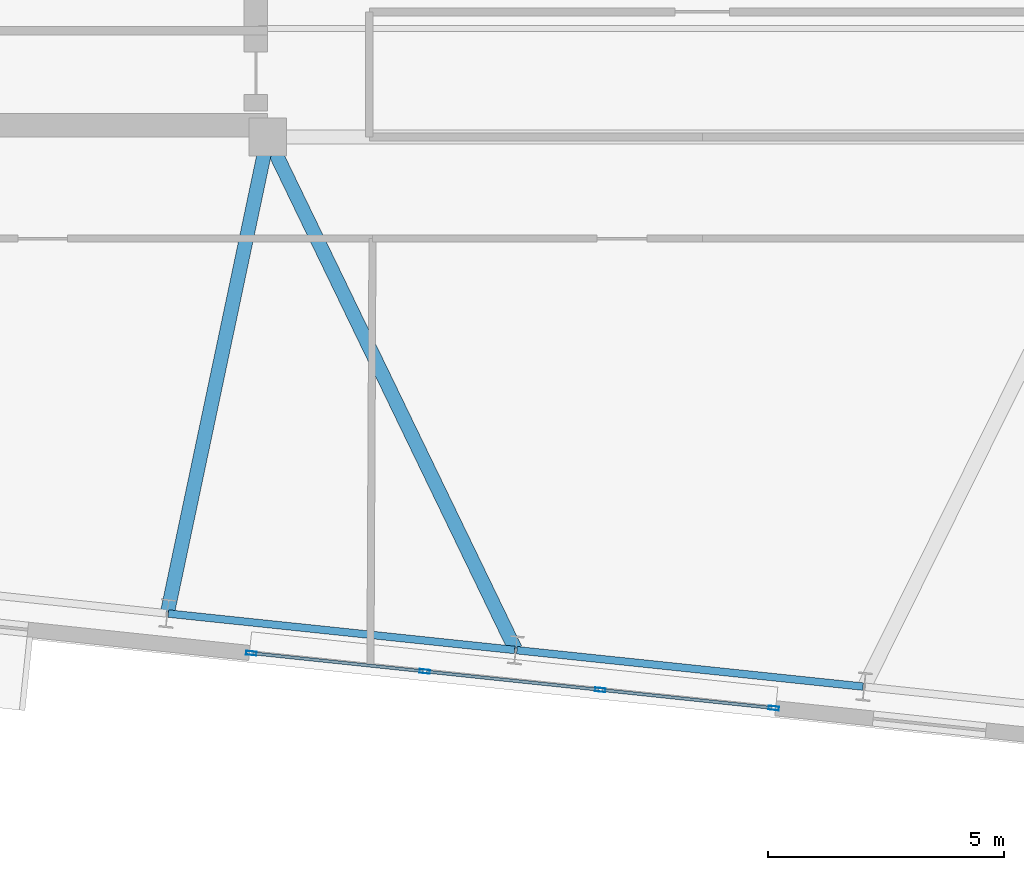
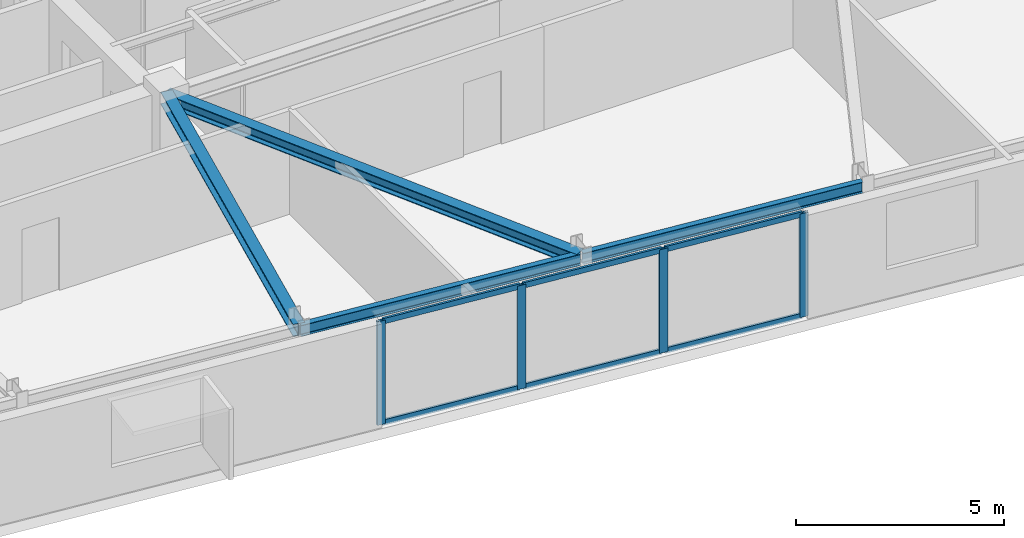
# One storey, part 5 of 13: 10 members, 4 beams, 1 element without a shape of its own.
"""IFC4 building model written with IfcOpenShell, lengths in metres."""

from ifc_helpers import new_model, si_unit, direction, frame, origin, origin_2d, place, context, subcontext, project, spatial, hollow_rectangle, i_section, extrude, material, layer, layer_set, material_profile, profile_set, type_object, element, aggregate, save


model = new_model("IFC4")

# Units and contexts
model_context = context("Model", 3, precision=1e-05, world=origin(), true_north=direction((0.0, 1.0)))
body_context = subcontext(model_context, "Body", "Model", "MODEL_VIEW")
ifc_project = project(units=[si_unit("LENGTHUNIT", "METRE"), si_unit("AREAUNIT", "SQUARE_METRE"), si_unit("VOLUMEUNIT", "CUBIC_METRE"), si_unit("PLANEANGLEUNIT", "RADIAN"), si_unit("MASSUNIT", "GRAM", prefix="KILO")], contexts=[model_context])

# Site, building, storey
site_placement = place(None, origin())
site = spatial("IfcSite", under=ifc_project, at=site_placement, CompositionType="ELEMENT")
building_placement = place(site_placement, origin())
building = spatial("IfcBuilding", under=site, at=building_placement, Name="Qobustan Lattice House", CompositionType="ELEMENT")
storey_placement = place(building_placement, frame((0.0, 0.0, 199.75)))
storey = spatial("IfcBuildingStorey", under=building, at=storey_placement, Name="L56", CompositionType="ELEMENT", Elevation=199.75)

# Beams
ifc_material_1 = material(Name="Steel S355", Category="steel")
ifc_material_profile_1 = material_profile(ifc_material_1, i_section(OverallWidth=0.300048828125, OverallDepth=0.360107421875, WebThickness=0.012451171875, FlangeThickness=0.0224609375, FilletRadius=0.027099609375, at=origin_2d()), Name="HEB360")
ifc_profile_set_1 = profile_set([ifc_material_profile_1], Name="Steel S355")
beam_type_1 = type_object("IfcBeamType", Name="BM-FLG-HEB360", PredefinedType="USERDEFINED", material=ifc_profile_set_1)
beam_1_placement = place(storey_placement, frame((-11.32177734375, -15.658447265625, 2.860107421875), z_axis=(0.206411213198, 0.978465334627, 0.0), x_axis=(-0.978465334627, 0.206411213198, 0.0)))
element("IfcBeam", 1, at=beam_1_placement, inside=storey, type_object=beam_type_1, Name="L56 primary floor girder RAD-S3", ObjectType="GIRDER", PredefinedType="USERDEFINED", context=body_context, shape_type="SweptSolid", body=[
    extrude(i_section(OverallWidth=0.300048828125, OverallDepth=0.360107421875, WebThickness=0.012451171875, FlangeThickness=0.0224609375, FilletRadius=0.027099609375, at=origin_2d()), origin(), (0.0, 0.0, 1.0), 10.2548828125),
])
beam_2_placement = place(storey_placement, frame((-3.9619140625, -16.435791015625, 2.860107421875), z_axis=(-0.435229353302, 0.900319615483, 0.0), x_axis=(-0.900319615483, -0.435229353302, 0.0)))
element("IfcBeam", 2, at=beam_2_placement, inside=storey, type_object=beam_type_1, Name="L56 primary floor girder RAD-S4", ObjectType="GIRDER", PredefinedType="USERDEFINED", context=body_context, shape_type="SweptSolid", body=[
    extrude(i_section(OverallWidth=0.300048828125, OverallDepth=0.360107421875, WebThickness=0.012451171875, FlangeThickness=0.0224609375, FilletRadius=0.027099609375, at=origin_2d()), origin(), (0.0, 0.0, 1.0), 12.010498046875),
])
ifc_material_2 = material(Name="Steel S355", Category="steel")
ifc_material_profile_2 = material_profile(ifc_material_2, i_section(OverallWidth=0.159912109375, OverallDepth=0.330078125, WebThickness=0.007568359375, FlangeThickness=0.011474609375, FilletRadius=0.01806640625, at=origin_2d()), Name="IPE330")
ifc_profile_set_2 = profile_set([ifc_material_profile_2], Name="Steel S355")
beam_type_2 = type_object("IfcBeamType", Name="BM-SPD-IPE330", PredefinedType="SPANDREL", material=ifc_profile_set_2)
beam_3_placement = place(storey_placement, frame((-11.302001953125, -15.685546875, 2.875), z_axis=(0.994521784746, -0.104529515765, 0.0), x_axis=(0.104529515765, 0.994521784746, 0.0)))
element("IfcBeam", 3, at=beam_3_placement, inside=storey, type_object=beam_type_2, Name="L56 perimeter spandrel S3-S4", PredefinedType="SPANDREL", context=body_context, shape_type="SweptSolid", body=[
    extrude(i_section(OverallWidth=0.159912109375, OverallDepth=0.330078125, WebThickness=0.007568359375, FlangeThickness=0.011474609375, FilletRadius=0.01806640625, at=origin_2d()), origin(), (0.0, 0.0, 1.0), 7.366455078125),
])
beam_4_placement = place(storey_placement, frame((-3.926025390625, -16.460693359375, 2.875), z_axis=(0.99451870122, -0.10455884909, 0.0), x_axis=(0.10455884909, 0.99451870122, 0.0)))
element("IfcBeam", 4, at=beam_4_placement, inside=storey, type_object=beam_type_2, Name="L56 perimeter spandrel S4-S5", PredefinedType="SPANDREL", context=body_context, shape_type="SweptSolid", body=[
    extrude(i_section(OverallWidth=0.159912109375, OverallDepth=0.330078125, WebThickness=0.007568359375, FlangeThickness=0.011474609375, FilletRadius=0.01806640625, at=origin_2d()), origin(), (0.0, 0.0, 1.0), 7.36669921875),
])

# Curtain wall, members
ifc_material_3 = material(Name="Anodised aluminium and low-E glazing", Category="aluminium")
ifc_layer = layer(ifc_material_3, 0.219970703125)
ifc_layer_set = layer_set([ifc_layer], Name="Anodised aluminium and low-E glazing")
curtain_wall_type = type_object("IfcCurtainWallType", Name="CW-IWN-01", PredefinedType="USERDEFINED", material=ifc_layer_set)
curtain_wall_placement = place(storey_placement, origin())
curtain_wall = element("IfcCurtainWall", 5, at=curtain_wall_placement, inside=storey, type_object=curtain_wall_type, Name="L56 IWAN-4 walnut-lined iwan curtain wall", ObjectType="CURTAIN WALL", PredefinedType="USERDEFINED")
ifc_material_4 = material(Name="Anodised aluminium EN AW-6063 T6", Category="aluminium")
ifc_material_profile_3 = material_profile(ifc_material_4, hollow_rectangle(XDim=0.080078125, YDim=0.219970703125, WallThickness=0.0048828125, at=origin_2d()), Name="CWM-220x80")
ifc_profile_set_3 = profile_set([ifc_material_profile_3], Name="Anodised aluminium EN AW-6063 T6")
member_type_1 = type_object("IfcMemberType", Name="CWM-MAIN-220", PredefinedType="MULLION", material=ifc_profile_set_3)
member_1_placement = place(storey_placement, frame((1.5107421875, -17.68603515625, 0.0), z_axis=(0.0, 0.0, 1.0), x_axis=(-0.104536054872, -0.994521097429, 0.0)))
member_1 = element("IfcMember", 6, at=member_1_placement, type_object=member_type_1, Name="CW-IW mullion 1", PredefinedType="MULLION", context=body_context, shape_type="SweptSolid", body=[
    extrude(hollow_rectangle(XDim=0.080078125, YDim=0.219970703125, WallThickness=0.0048828125, at=origin_2d()), origin(), (0.0, 0.0, 1.0), 3.0400390625),
])
member_2_placement = place(storey_placement, frame((-2.162353515625, -17.2998046875, 0.0), z_axis=(0.0, 0.0, 1.0), x_axis=(-0.104536054872, -0.994521097429, 0.0)))
member_2 = element("IfcMember", 7, at=member_2_placement, type_object=member_type_1, Name="CW-IW mullion 2", PredefinedType="MULLION", context=body_context, shape_type="SweptSolid", body=[
    extrude(hollow_rectangle(XDim=0.080078125, YDim=0.219970703125, WallThickness=0.0048828125, at=origin_2d()), origin(), (0.0, 0.0, 1.0), 3.0400390625),
])
member_3_placement = place(storey_placement, frame((-5.875244140625, -16.90966796875, 0.0), z_axis=(0.0, 0.0, 1.0), x_axis=(-0.104536054872, -0.994521097429, 0.0)))
member_3 = element("IfcMember", 8, at=member_3_placement, type_object=member_type_1, Name="CW-IW mullion 3", PredefinedType="MULLION", context=body_context, shape_type="SweptSolid", body=[
    extrude(hollow_rectangle(XDim=0.080078125, YDim=0.219970703125, WallThickness=0.0048828125, at=origin_2d()), origin(), (0.0, 0.0, 1.0), 3.0400390625),
])
member_4_placement = place(storey_placement, frame((-9.54833984375, -16.5234375, 0.0), z_axis=(0.0, 0.0, 1.0), x_axis=(-0.104536054872, -0.994521097429, 0.0)))
member_4 = element("IfcMember", 9, at=member_4_placement, type_object=member_type_1, Name="CW-IW mullion 4", PredefinedType="MULLION", context=body_context, shape_type="SweptSolid", body=[
    extrude(hollow_rectangle(XDim=0.080078125, YDim=0.219970703125, WallThickness=0.0048828125, at=origin_2d()), origin(), (0.0, 0.0, 1.0), 3.0400390625),
])
ifc_material_5 = material(Name="Anodised aluminium EN AW-6063 T6", Category="aluminium")
ifc_material_profile_4 = material_profile(ifc_material_5, hollow_rectangle(XDim=0.06494140625, YDim=0.159912109375, WallThickness=0.00390625, at=origin_2d()), Name="CWT-160x65")
ifc_profile_set_4 = profile_set([ifc_material_profile_4], Name="Anodised aluminium EN AW-6063 T6")
member_type_2 = type_object("IfcMemberType", Name="CWT-HOR-160", PredefinedType="USERDEFINED", material=ifc_profile_set_4)
member_5_placement = place(storey_placement, frame((1.470947265625, -17.681640625, 0.032470703125), z_axis=(-0.99452210074, 0.104526509263, 0.0), x_axis=(-0.104526509263, -0.99452210074, 0.0)))
member_5 = element("IfcMember", 10, at=member_5_placement, type_object=member_type_2, Name="CW-IW transom 1.1", ObjectType="TRANSOM", PredefinedType="USERDEFINED", context=body_context, shape_type="SweptSolid", body=[
    extrude(hollow_rectangle(XDim=0.06494140625, YDim=0.159912109375, WallThickness=0.00390625, at=origin_2d()), origin(), (0.0, 0.0, 1.0), 3.61328125),
])
member_6_placement = place(storey_placement, frame((1.470947265625, -17.681640625, 3.007568359375), z_axis=(-0.99452210074, 0.104526509263, 0.0), x_axis=(-0.104526509263, -0.99452210074, 0.0)))
member_6 = element("IfcMember", 11, at=member_6_placement, type_object=member_type_2, Name="CW-IW transom 1.2", ObjectType="TRANSOM", PredefinedType="USERDEFINED", context=body_context, shape_type="SweptSolid", body=[
    extrude(hollow_rectangle(XDim=0.06494140625, YDim=0.159912109375, WallThickness=0.00390625, at=origin_2d()), origin(), (0.0, 0.0, 1.0), 3.61328125),
])
member_7_placement = place(storey_placement, frame((-2.2021484375, -17.295654296875, 0.032470703125), z_axis=(-0.994523015384, 0.104517806482, 0.0), x_axis=(-0.104517806482, -0.994523015384, 0.0)))
member_7 = element("IfcMember", 12, at=member_7_placement, type_object=member_type_2, Name="CW-IW transom 2.1", ObjectType="TRANSOM", PredefinedType="USERDEFINED", context=body_context, shape_type="SweptSolid", body=[
    extrude(hollow_rectangle(XDim=0.06494140625, YDim=0.159912109375, WallThickness=0.00390625, at=origin_2d()), origin(), (0.0, 0.0, 1.0), 3.6533203125),
])
member_8_placement = place(storey_placement, frame((-2.2021484375, -17.295654296875, 3.007568359375), z_axis=(-0.994523015384, 0.104517806482, 0.0), x_axis=(-0.104517806482, -0.994523015384, 0.0)))
member_8 = element("IfcMember", 13, at=member_8_placement, type_object=member_type_2, Name="CW-IW transom 2.2", ObjectType="TRANSOM", PredefinedType="USERDEFINED", context=body_context, shape_type="SweptSolid", body=[
    extrude(hollow_rectangle(XDim=0.06494140625, YDim=0.159912109375, WallThickness=0.00390625, at=origin_2d()), origin(), (0.0, 0.0, 1.0), 3.6533203125),
])
member_9_placement = place(storey_placement, frame((-5.9150390625, -16.9052734375, 0.032470703125), z_axis=(-0.99452210074, 0.104526509263, 0.0), x_axis=(-0.104526509263, -0.99452210074, 0.0)))
member_9 = element("IfcMember", 14, at=member_9_placement, type_object=member_type_2, Name="CW-IW transom 3.1", ObjectType="TRANSOM", PredefinedType="USERDEFINED", context=body_context, shape_type="SweptSolid", body=[
    extrude(hollow_rectangle(XDim=0.06494140625, YDim=0.159912109375, WallThickness=0.00390625, at=origin_2d()), origin(), (0.0, 0.0, 1.0), 3.61328125),
])
member_10_placement = place(storey_placement, frame((-5.9150390625, -16.9052734375, 3.007568359375), z_axis=(-0.99452210074, 0.104526509263, 0.0), x_axis=(-0.104526509263, -0.99452210074, 0.0)))
member_10 = element("IfcMember", 15, at=member_10_placement, type_object=member_type_2, Name="CW-IW transom 3.2", ObjectType="TRANSOM", PredefinedType="USERDEFINED", context=body_context, shape_type="SweptSolid", body=[
    extrude(hollow_rectangle(XDim=0.06494140625, YDim=0.159912109375, WallThickness=0.00390625, at=origin_2d()), origin(), (0.0, 0.0, 1.0), 3.61328125),
])
aggregate(curtain_wall, [member_1, member_2, member_3, member_4, member_5, member_6, member_7, member_8, member_9, member_10])

save(model, "model.ifc")
